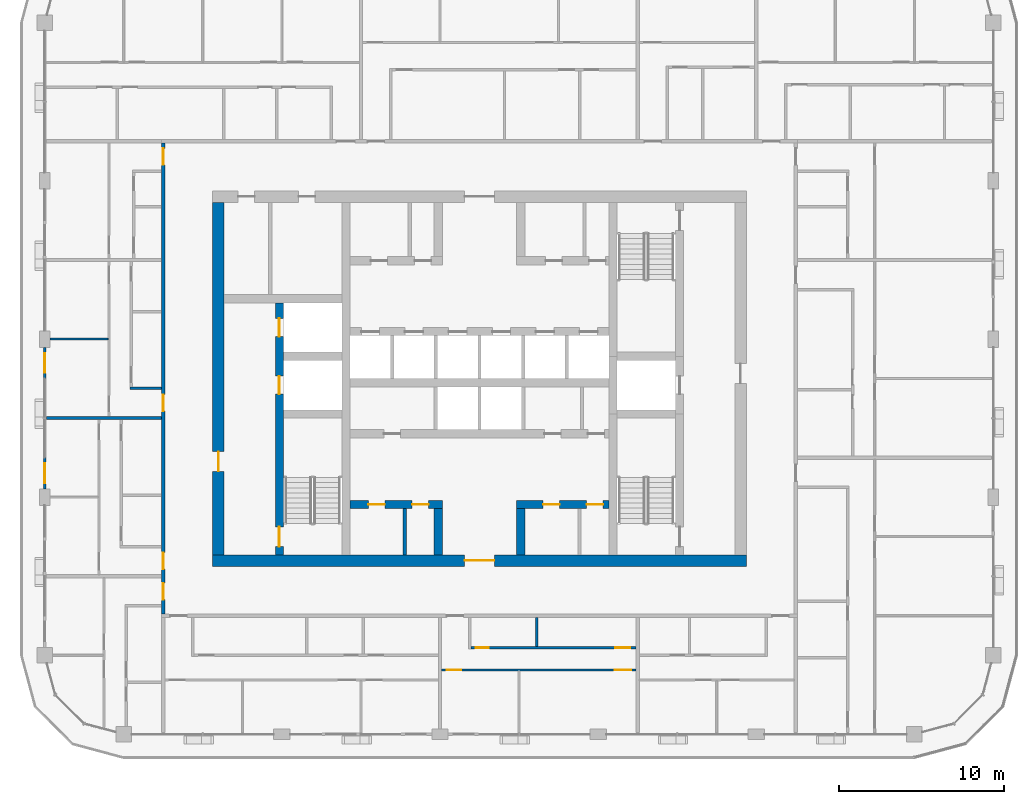
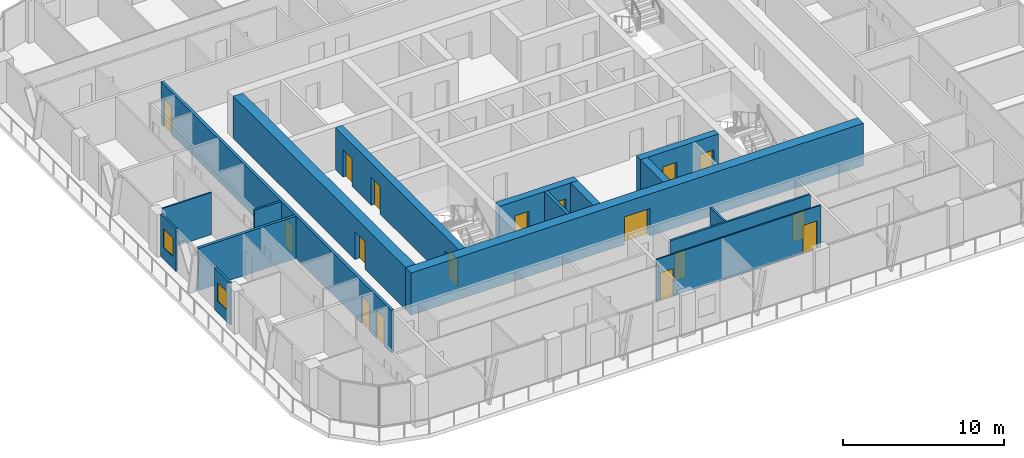
# One storey, part 10 of 23: 17 doors, 17 walls, 2 windows, 19 openings.
"""IFC4 building model written with IfcOpenShell, lengths in metres."""

from ifc_helpers import new_model, si_unit, direction, frame, frame_2d, origin, place, context, subcontext, project, spatial, rectangle, extrude, material, layer, layer_set, type_object, element, fill, save


model = new_model("IFC4")

# Units and contexts
model_context = context("Model", 3, precision=1e-05, world=origin(), true_north=direction((0.0, 1.0)))
body_context = subcontext(model_context, "Body", "Model", "MODEL_VIEW")
ifc_project = project(units=[si_unit("LENGTHUNIT", "METRE"), si_unit("AREAUNIT", "SQUARE_METRE"), si_unit("VOLUMEUNIT", "CUBIC_METRE"), si_unit("PLANEANGLEUNIT", "RADIAN"), si_unit("MASSUNIT", "GRAM", prefix="KILO")], contexts=[model_context])

# Site, building, storey
site_placement = place(None, origin())
site = spatial("IfcSite", under=ifc_project, at=site_placement, CompositionType="ELEMENT")
building_placement = place(site_placement, origin())
building = spatial("IfcBuilding", under=site, at=building_placement, Name="Madar Terraces", CompositionType="ELEMENT")
storey_placement = place(building_placement, frame((0.0, 0.0, 215.800048828125)))
storey = spatial("IfcBuildingStorey", under=building, at=storey_placement, Name="L56", CompositionType="ELEMENT", Elevation=215.800048828125)

# Wall, openings, doors
ifc_material_1 = material(Name="Concrete C60/75", Category="concrete")
ifc_layer_1 = layer(ifc_material_1, 0.5)
ifc_layer_set_1 = layer_set([ifc_layer_1], Name="Concrete C60/75 (CIW4 RC wall 500)")
wall_type_1 = type_object("IfcWallType", Name="CIW4 RC wall 500", PredefinedType="SHEAR", material=ifc_layer_set_1)
wall_1_placement = place(storey_placement, frame((19.050048828125, 15.699951171875, 0.0), z_axis=(0.0, 0.0, 1.0), x_axis=(0.0, 1.0, 0.0)))
wall_1 = element("IfcWall", 1, at=wall_1_placement, inside=storey, type_object=wall_type_1, Name="CORE SHAFT WALL", PredefinedType="SHEAR", context=body_context, shape_type="SweptSolid", body=[
    extrude(rectangle(XDim=15.300048828125, YDim=0.5, at=frame_2d((7.64990234375, 0.0))), origin(), (0.0, 0.0, 1.0), 3.199951171875),
])
opening_1_placement = place(wall_1_placement, frame((9.75, 0.0, 0.0)))
opening_1 = element("IfcOpeningElement", 2, at=opening_1_placement, cuts=wall_1, Name="Opening LD", PredefinedType="OPENING", context=body_context, shape_type="SweptSolid", body=[
    extrude(rectangle(XDim=1.10009765625, YDim=2.10009765625, at=frame_2d((0.550048828125, 1.050048828125))), frame((0.0, 0.260009765625, 0.0), z_axis=(0.0, -1.0, 0.0), x_axis=(1.0, 0.0, 0.0)), (0.0, 0.0, 1.0), 0.52001953125),
])
opening_2_placement = place(wall_1_placement, frame((13.25, 0.0, 0.0)))
opening_2 = element("IfcOpeningElement", 3, at=opening_2_placement, cuts=wall_1, Name="Opening LD", PredefinedType="OPENING", context=body_context, shape_type="SweptSolid", body=[
    extrude(rectangle(XDim=1.10009765625, YDim=2.10009765625, at=frame_2d((0.550048828125, 1.050048828125))), frame((0.0, 0.260009765625, 0.0), z_axis=(0.0, -1.0, 0.0), x_axis=(1.0, 0.0, 0.0)), (0.0, 0.0, 1.0), 0.52001953125),
])
opening_3_placement = place(wall_1_placement, frame((0.5, 0.0, 0.0)))
opening_3 = element("IfcOpeningElement", 4, at=opening_3_placement, cuts=wall_1, Name="Opening SD1", PredefinedType="OPENING", context=body_context, shape_type="SweptSolid", body=[
    extrude(rectangle(XDim=1.199951171875, YDim=2.10009765625, at=frame_2d((0.60009765625, 1.050048828125))), frame((0.0, 0.260009765625, 0.0), z_axis=(0.0, -1.0, 0.0), x_axis=(1.0, 0.0, 0.0)), (0.0, 0.0, 1.0), 0.52001953125),
])
ifc_material_2 = material(Name="Stainless steel panel", Category="steel")
door_type_1 = type_object("IfcDoorType", Name="Lift landing door 1100 x 2100", OperationType="DOUBLE_DOOR_SLIDING", PredefinedType="DOOR", material=ifc_material_2)
door_1_placement = place(opening_1_placement, origin())
door_1 = element("IfcDoor", 5, at=door_1_placement, inside=storey, type_object=door_type_1, Name="LIFT LANDING DOOR", OperationType="DOUBLE_DOOR_SLIDING", OverallHeight=2.10009765625, OverallWidth=1.10009765625, PredefinedType="DOOR", context=body_context, shape_type="SweptSolid", body=[
    extrude(rectangle(XDim=1.10009765625, YDim=2.10009765625, at=frame_2d((0.550048828125, 1.050048828125))), frame((0.0, 0.02490234375, 0.0), z_axis=(0.0, -1.0, 0.0), x_axis=(1.0, 0.0, 0.0)), (0.0, 0.0, 1.0), 0.050048828125),
])
fill(opening_1, door_1)
door_2_placement = place(opening_2_placement, origin())
door_2 = element("IfcDoor", 6, at=door_2_placement, inside=storey, type_object=door_type_1, Name="LIFT LANDING DOOR", OperationType="DOUBLE_DOOR_SLIDING", OverallHeight=2.10009765625, OverallWidth=1.10009765625, PredefinedType="DOOR", context=body_context, shape_type="SweptSolid", body=[
    extrude(rectangle(XDim=1.10009765625, YDim=2.10009765625, at=frame_2d((0.550048828125, 1.050048828125))), frame((0.0, 0.02490234375, 0.0), z_axis=(0.0, -1.0, 0.0), x_axis=(1.0, 0.0, 0.0)), (0.0, 0.0, 1.0), 0.050048828125),
])
fill(opening_2, door_2)
ifc_material_3 = material(Name="Steel door leaf", Category="steel")
door_type_2 = type_object("IfcDoorType", Name="Stair door 1200 x 2100", OperationType="NOTDEFINED", PredefinedType="DOOR", material=ifc_material_3)
door_3_placement = place(opening_3_placement, frame((1.199951171875, 0.0, 0.0), z_axis=(0.0, 0.0, 1.0), x_axis=(-1.0, 0.0, 0.0)))
door_3 = element("IfcDoor", 7, at=door_3_placement, inside=storey, type_object=door_type_2, Name="STAIR DOOR", OperationType="SINGLE_SWING_RIGHT", OverallHeight=2.10009765625, OverallWidth=1.199951171875, PredefinedType="DOOR", context=body_context, shape_type="SweptSolid", body=[
    extrude(rectangle(XDim=1.199951171875, YDim=2.10009765625, at=frame_2d((0.60009765625, 1.050048828125))), frame((0.0, 0.02490234375, 0.0), z_axis=(0.0, -1.0, 0.0), x_axis=(1.0, 0.0, 0.0)), (0.0, 0.0, 1.0), 0.050048828125),
])
fill(opening_3, door_3)

wall_2_placement = place(storey_placement, frame((23.35009765625, 18.75, 0.0), z_axis=(0.0, 0.0, 1.0), x_axis=(1.0, 0.0, 0.0)))
wall_2 = element("IfcWall", 8, at=wall_2_placement, inside=storey, type_object=wall_type_1, Name="CORE SHAFT WALL", PredefinedType="SHEAR", context=body_context, shape_type="SweptSolid", body=[
    extrude(rectangle(XDim=5.599853515625, YDim=0.5, at=frame_2d((2.7998046875, 0.0))), origin(), (0.0, 0.0, 1.0), 3.199951171875),
])
opening_4_placement = place(wall_2_placement, frame((1.107421875, 0.0, 0.0)))
opening_4 = element("IfcOpeningElement", 9, at=opening_4_placement, cuts=wall_2, Name="Opening KD2", PredefinedType="OPENING", context=body_context, shape_type="SweptSolid", body=[
    extrude(rectangle(XDim=1.0, YDim=2.10009765625, at=frame_2d((0.5, 1.050048828125))), frame((0.0, 0.260009765625, 0.0), z_axis=(0.0, -1.0, 0.0), x_axis=(1.0, 0.0, 0.0)), (0.0, 0.0, 1.0), 0.52001953125),
])
opening_5_placement = place(wall_2_placement, frame((3.757568359375, 0.0, 0.0)))
opening_5 = element("IfcOpeningElement", 10, at=opening_5_placement, cuts=wall_2, Name="Opening KD2", PredefinedType="OPENING", context=body_context, shape_type="SweptSolid", body=[
    extrude(rectangle(XDim=1.0, YDim=2.10009765625, at=frame_2d((0.5, 1.050048828125))), frame((0.0, 0.260009765625, 0.0), z_axis=(0.0, -1.0, 0.0), x_axis=(1.0, 0.0, 0.0)), (0.0, 0.0, 1.0), 0.52001953125),
])
ifc_material_4 = material(Name="Steel door leaf", Category="steel")
door_type_3 = type_object("IfcDoorType", Name="Service room door 1000 x 2100", OperationType="NOTDEFINED", PredefinedType="DOOR", material=ifc_material_4)
door_4_placement = place(opening_4_placement, origin())
door_4 = element("IfcDoor", 11, at=door_4_placement, inside=storey, type_object=door_type_3, Name="SERVICE ROOM DOOR", OperationType="SINGLE_SWING_RIGHT", OverallHeight=2.10009765625, OverallWidth=1.0, PredefinedType="DOOR", context=body_context, shape_type="SweptSolid", body=[
    extrude(rectangle(XDim=1.0, YDim=2.10009765625, at=frame_2d((0.5, 1.050048828125))), frame((0.0, 0.02490234375, 0.0), z_axis=(0.0, -1.0, 0.0), x_axis=(1.0, 0.0, 0.0)), (0.0, 0.0, 1.0), 0.050048828125),
])
fill(opening_4, door_4)
door_5_placement = place(opening_5_placement, origin())
door_5 = element("IfcDoor", 12, at=door_5_placement, inside=storey, type_object=door_type_3, Name="SERVICE ROOM DOOR", OperationType="SINGLE_SWING_LEFT", OverallHeight=2.10009765625, OverallWidth=1.0, PredefinedType="DOOR", context=body_context, shape_type="SweptSolid", body=[
    extrude(rectangle(XDim=1.0, YDim=2.10009765625, at=frame_2d((0.5, 1.050048828125))), frame((0.0, 0.02490234375, 0.0), z_axis=(0.0, -1.0, 0.0), x_axis=(1.0, 0.0, 0.0)), (0.0, 0.0, 1.0), 0.050048828125),
])
fill(opening_5, door_5)

wall_3_placement = place(storey_placement, frame((33.449951171875, 18.75, 0.0), z_axis=(0.0, 0.0, 1.0), x_axis=(1.0, 0.0, 0.0)))
wall_3 = element("IfcWall", 13, at=wall_3_placement, inside=storey, type_object=wall_type_1, Name="CORE SHAFT WALL", PredefinedType="SHEAR", context=body_context, shape_type="SweptSolid", body=[
    extrude(rectangle(XDim=5.60009765625, YDim=0.5, at=frame_2d((2.800048828125, 0.0))), origin(), (0.0, 0.0, 1.0), 3.199951171875),
])
opening_6_placement = place(wall_3_placement, frame((1.607421875, 0.0, 0.0)))
opening_6 = element("IfcOpeningElement", 14, at=opening_6_placement, cuts=wall_3, Name="Opening KD2", PredefinedType="OPENING", context=body_context, shape_type="SweptSolid", body=[
    extrude(rectangle(XDim=1.0, YDim=2.10009765625, at=frame_2d((0.5, 1.050048828125))), frame((0.0, 0.260009765625, 0.0), z_axis=(0.0, -1.0, 0.0), x_axis=(1.0, 0.0, 0.0)), (0.0, 0.0, 1.0), 0.52001953125),
])
opening_7_placement = place(wall_3_placement, frame((4.257568359375, 0.0, 0.0)))
opening_7 = element("IfcOpeningElement", 15, at=opening_7_placement, cuts=wall_3, Name="Opening KD2", PredefinedType="OPENING", context=body_context, shape_type="SweptSolid", body=[
    extrude(rectangle(XDim=1.0, YDim=2.10009765625, at=frame_2d((0.5, 1.050048828125))), frame((0.0, 0.260009765625, 0.0), z_axis=(0.0, -1.0, 0.0), x_axis=(1.0, 0.0, 0.0)), (0.0, 0.0, 1.0), 0.52001953125),
])
door_6_placement = place(opening_6_placement, origin())
door_6 = element("IfcDoor", 16, at=door_6_placement, inside=storey, type_object=door_type_3, Name="SERVICE ROOM DOOR", OperationType="SINGLE_SWING_RIGHT", OverallHeight=2.10009765625, OverallWidth=1.0, PredefinedType="DOOR", context=body_context, shape_type="SweptSolid", body=[
    extrude(rectangle(XDim=1.0, YDim=2.10009765625, at=frame_2d((0.5, 1.050048828125))), frame((0.0, 0.02490234375, 0.0), z_axis=(0.0, -1.0, 0.0), x_axis=(1.0, 0.0, 0.0)), (0.0, 0.0, 1.0), 0.050048828125),
])
fill(opening_6, door_6)
door_7_placement = place(opening_7_placement, origin())
door_7 = element("IfcDoor", 17, at=door_7_placement, inside=storey, type_object=door_type_3, Name="SERVICE ROOM DOOR", OperationType="SINGLE_SWING_LEFT", OverallHeight=2.10009765625, OverallWidth=1.0, PredefinedType="DOOR", context=body_context, shape_type="SweptSolid", body=[
    extrude(rectangle(XDim=1.0, YDim=2.10009765625, at=frame_2d((0.5, 1.050048828125))), frame((0.0, 0.02490234375, 0.0), z_axis=(0.0, -1.0, 0.0), x_axis=(1.0, 0.0, 0.0)), (0.0, 0.0, 1.0), 0.050048828125),
])
fill(opening_7, door_7)

# Walls
for number, where, z_axis, x_axis, name in (
    (18, (28.699951171875, 15.699951171875, 0.0), (0.0, 0.0, 1.0), (0.0, 1.0, 0.0), "CORE SHAFT WALL"),
    (19, (33.699951171875, 15.699951171875, 0.0), (0.0, 0.0, 1.0), (0.0, 1.0, 0.0), "CORE SHAFT WALL"),
):
    element("IfcWall", number, at=place(storey_placement, frame(where, z_axis=z_axis, x_axis=x_axis)), inside=storey, type_object=wall_type_1, Name=name, PredefinedType="SHEAR", context=body_context, shape_type="SweptSolid", body=[
        extrude(rectangle(XDim=2.800048828125, YDim=0.5, at=frame_2d((1.39990234375, 0.0))), origin(), (0.0, 0.0, 1.0), 3.199951171875),
    ])

# Wall, opening, door
ifc_material_5 = material(Name="Concrete C60/75", Category="concrete")
ifc_layer_2 = layer(ifc_material_5, 0.699951171875)
ifc_layer_set_2 = layer_set([ifc_layer_2], Name="Concrete C60/75 (CRW4 RC wall 700)")
wall_type_2 = type_object("IfcWallType", Name="CRW4 RC wall 700", PredefinedType="SHEAR", material=ifc_layer_set_2)
wall_4_placement = place(storey_placement, frame((15.0, 15.35009765625, 0.0), z_axis=(0.0, 0.0, 1.0), x_axis=(1.0, 0.0, 0.0)))
wall_4 = element("IfcWall", 20, at=wall_4_placement, inside=storey, type_object=wall_type_2, Name="CORE OUTER WALL", PredefinedType="SHEAR", context=body_context, shape_type="SweptSolid", body=[
    extrude(rectangle(XDim=32.39990234375, YDim=0.699951171875, at=frame_2d((16.199951171875, 0.0))), origin(), (0.0, 0.0, 1.0), 3.199951171875),
])
opening_8_placement = place(wall_4_placement, frame((15.300048828125, 0.0, 0.0)))
opening_8 = element("IfcOpeningElement", 21, at=opening_8_placement, cuts=wall_4, Name="Opening KD1", PredefinedType="OPENING", context=body_context, shape_type="SweptSolid", body=[
    extrude(rectangle(XDim=1.800048828125, YDim=2.10009765625, at=frame_2d((0.89990234375, 1.050048828125))), frame((0.0, 0.35986328125, 0.0), z_axis=(0.0, -1.0, 0.0), x_axis=(1.0, 0.0, 0.0)), (0.0, 0.0, 1.0), 0.719970703125),
])
ifc_material_6 = material(Name="Steel door leaf", Category="steel")
door_type_4 = type_object("IfcDoorType", Name="Lobby door pair 1800 x 2100", OperationType="DOUBLE_DOOR_SINGLE_SWING", PredefinedType="DOOR", material=ifc_material_6)
door_8_placement = place(opening_8_placement, frame((1.800048828125, 0.0, 0.0), z_axis=(0.0, 0.0, 1.0), x_axis=(-1.0, 0.0, 0.0)))
door_8 = element("IfcDoor", 22, at=door_8_placement, inside=storey, type_object=door_type_4, Name="LIFT LOBBY DOOR", OperationType="DOUBLE_DOOR_SINGLE_SWING", OverallHeight=2.10009765625, OverallWidth=1.800048828125, PredefinedType="DOOR", context=body_context, shape_type="SweptSolid", body=[
    extrude(rectangle(XDim=1.800048828125, YDim=2.10009765625, at=frame_2d((0.89990234375, 1.050048828125))), frame((0.0, 0.02490234375, 0.0), z_axis=(0.0, -1.0, 0.0), x_axis=(1.0, 0.0, 0.0)), (0.0, 0.0, 1.0), 0.050048828125),
])
fill(opening_8, door_8)

wall_5_placement = place(storey_placement, frame((15.35009765625, 15.699951171875, 0.0), z_axis=(0.0, 0.0, 1.0), x_axis=(0.0, 1.0, 0.0)))
wall_5 = element("IfcWall", 23, at=wall_5_placement, inside=storey, type_object=wall_type_2, Name="CORE OUTER WALL", PredefinedType="SHEAR", context=body_context, shape_type="SweptSolid", body=[
    extrude(rectangle(XDim=21.400146484375, YDim=0.699951171875, at=frame_2d((10.7001953125, 0.0))), origin(), (0.0, 0.0, 1.0), 3.199951171875),
])
opening_9_placement = place(wall_5_placement, frame((5.06005859375, 0.0, 0.0)))
opening_9 = element("IfcOpeningElement", 24, at=opening_9_placement, cuts=wall_5, Name="Opening SD1", PredefinedType="OPENING", context=body_context, shape_type="SweptSolid", body=[
    extrude(rectangle(XDim=1.199951171875, YDim=2.10009765625, at=frame_2d((0.60009765625, 1.050048828125))), frame((0.0, 0.35986328125, 0.0), z_axis=(0.0, -1.0, 0.0), x_axis=(1.0, 0.0, 0.0)), (0.0, 0.0, 1.0), 0.719970703125),
])
door_9_placement = place(opening_9_placement, frame((1.199951171875, 0.0, 0.0), z_axis=(0.0, 0.0, 1.0), x_axis=(-1.0, 0.0, 0.0)))
door_9 = element("IfcDoor", 25, at=door_9_placement, inside=storey, type_object=door_type_2, Name="STAIR DOOR", OperationType="SINGLE_SWING_LEFT", OverallHeight=2.10009765625, OverallWidth=1.199951171875, PredefinedType="DOOR", context=body_context, shape_type="SweptSolid", body=[
    extrude(rectangle(XDim=1.199951171875, YDim=2.10009765625, at=frame_2d((0.60009765625, 1.050048828125))), frame((0.0, 0.02490234375, 0.0), z_axis=(0.0, -1.0, 0.0), x_axis=(1.0, 0.0, 0.0)), (0.0, 0.0, 1.0), 0.050048828125),
])
fill(opening_9, door_9)

# Wall
ifc_material_7 = material(Name="Masonry blockwork", Category="masonry")
ifc_layer_3 = layer(ifc_material_7, 0.199951171875)
ifc_layer_set_3 = layer_set([ifc_layer_3], Name="Core partition 200 blockwork")
wall_type_3 = type_object("IfcWallType", Name="Core partition 200 blockwork", PredefinedType="PARTITIONING", material=ifc_layer_set_3)
wall_6_placement = place(storey_placement, frame((26.6650390625, 15.699951171875, 0.0), z_axis=(0.0, 0.0, 1.0), x_axis=(0.0, 1.0, 0.0)))
element("IfcWall", 26, at=wall_6_placement, inside=storey, type_object=wall_type_3, Name="SERVICE ROOM PARTITION", PredefinedType="PARTITIONING", context=body_context, shape_type="SweptSolid", body=[
    extrude(rectangle(XDim=2.800048828125, YDim=0.199951171875, at=frame_2d((1.39990234375, 0.0))), origin(), (0.0, 0.0, 1.0), 3.199951171875),
])

# Wall, opening, window
ifc_material_8 = material(Name="Aluminium composite panel, black, over insulated backing", Category="aluminium")
ifc_layer_4 = layer(ifc_material_8, 0.14990234375)
ifc_layer_set_4 = layer_set([ifc_layer_4], Name="Facade bay panel 150")
wall_type_4 = type_object("IfcWallType", Name="Facade bay panel 150", PredefinedType="SOLIDWALL", material=ifc_layer_set_4)
wall_7_placement = place(storey_placement, frame((4.800048828125, 28.300048828125, 0.0), z_axis=(0.0, 0.0, 1.0), x_axis=(0.0, -1.0, 0.0)))
wall_7 = element("IfcWall", 27, at=wall_7_placement, inside=storey, type_object=wall_type_4, Name="Facade bay panel", PredefinedType="SOLIDWALL", context=body_context, shape_type="SweptSolid", body=[
    extrude(rectangle(XDim=1.900146484375, YDim=0.14990234375, at=frame_2d((0.9501953125, 0.0))), origin(), (0.0, 0.0, 1.0), 3.199951171875),
])
opening_10_placement = place(wall_7_placement, frame((0.35009765625, 0.0, 0.89990234375)))
opening_10 = element("IfcOpeningElement", 28, at=opening_10_placement, cuts=wall_7, Name="Opening W1", PredefinedType="OPENING", context=body_context, shape_type="SweptSolid", body=[
    extrude(rectangle(XDim=1.199951171875, YDim=1.39990234375, at=frame_2d((0.60009765625, 0.699951171875))), frame((0.0, 0.0849609375, 0.0), z_axis=(0.0, -1.0, 0.0), x_axis=(1.0, 0.0, 0.0)), (0.0, 0.0, 1.0), 0.169921875),
])
ifc_material_9 = material(Name="Glass, clear, with black aluminium frame", Category="aluminium")
window_type = type_object("IfcWindowType", Name="Vent window 1200 x 1400", PartitioningType="SINGLE_PANEL", PredefinedType="WINDOW", material=ifc_material_9)
window_1_placement = place(opening_10_placement, origin())
window_1 = element("IfcWindow", 29, at=window_1_placement, inside=storey, type_object=window_type, Name="Operable vent window", OverallHeight=1.39990234375, OverallWidth=1.199951171875, PartitioningType="SINGLE_PANEL", PredefinedType="WINDOW", context=body_context, shape_type="SweptSolid", body=[
    extrude(rectangle(XDim=1.199951171875, YDim=1.39990234375, at=frame_2d((0.60009765625, 0.699951171875))), frame((0.0, 0.030029296875, 0.0), z_axis=(0.0, -1.0, 0.0), x_axis=(1.0, 0.0, 0.0)), (0.0, 0.0, 1.0), 0.06005859375),
])
fill(opening_10, window_1)

wall_8_placement = place(storey_placement, frame((4.800048828125, 21.60009765625, 0.0), z_axis=(0.0, 0.0, 1.0), x_axis=(0.0, -1.0, 0.0)))
wall_8 = element("IfcWall", 30, at=wall_8_placement, inside=storey, type_object=wall_type_4, Name="Facade bay panel", PredefinedType="SOLIDWALL", context=body_context, shape_type="SweptSolid", body=[
    extrude(rectangle(XDim=1.900146484375, YDim=0.14990234375, at=frame_2d((0.9501953125, 0.0))), origin(), (0.0, 0.0, 1.0), 3.199951171875),
])
opening_11_placement = place(wall_8_placement, frame((0.35009765625, 0.0, 0.89990234375)))
opening_11 = element("IfcOpeningElement", 31, at=opening_11_placement, cuts=wall_8, Name="Opening W1", PredefinedType="OPENING", context=body_context, shape_type="SweptSolid", body=[
    extrude(rectangle(XDim=1.199951171875, YDim=1.39990234375, at=frame_2d((0.60009765625, 0.699951171875))), frame((0.0, 0.0849609375, 0.0), z_axis=(0.0, -1.0, 0.0), x_axis=(1.0, 0.0, 0.0)), (0.0, 0.0, 1.0), 0.169921875),
])
window_2_placement = place(opening_11_placement, origin())
window_2 = element("IfcWindow", 32, at=window_2_placement, inside=storey, type_object=window_type, Name="Operable vent window", OverallHeight=1.39990234375, OverallWidth=1.199951171875, PartitioningType="SINGLE_PANEL", PredefinedType="WINDOW", context=body_context, shape_type="SweptSolid", body=[
    extrude(rectangle(XDim=1.199951171875, YDim=1.39990234375, at=frame_2d((0.60009765625, 0.699951171875))), frame((0.0, 0.030029296875, 0.0), z_axis=(0.0, -1.0, 0.0), x_axis=(1.0, 0.0, 0.0)), (0.0, 0.0, 1.0), 0.06005859375),
])
fill(opening_11, window_2)

# Wall, openings, doors
ifc_material_10 = material(Name="Gypsum board on steel studs", Category="steel")
ifc_layer_5 = layer(ifc_material_10, 0.10009765625)
ifc_layer_set_5 = layer_set([ifc_layer_5], Name="Flat partition 100")
wall_type_5 = type_object("IfcWallType", Name="Flat partition 100", PredefinedType="PARTITIONING", material=ifc_layer_set_5)
wall_9_placement = place(storey_placement, frame((40.699951171875, 8.699951171875, 0.0), z_axis=(0.0, 0.0, 1.0), x_axis=(-1.0, 0.0, 0.0)))
wall_9 = element("IfcWall", 33, at=wall_9_placement, inside=storey, type_object=wall_type_5, Name="Flat partition 100", PredefinedType="PARTITIONING", context=body_context, shape_type="SweptSolid", body=[
    extrude(rectangle(XDim=11.800048828125, YDim=0.10009765625, at=frame_2d((5.89990234375, 0.0))), origin(), (0.0, 0.0, 1.0), 3.199951171875),
])
opening_12_placement = place(wall_9_placement, frame((10.60009765625, 0.0, 0.0)))
opening_12 = element("IfcOpeningElement", 34, at=opening_12_placement, cuts=wall_9, Name="Opening D2", PredefinedType="OPENING", context=body_context, shape_type="SweptSolid", body=[
    extrude(rectangle(XDim=0.89990234375, YDim=2.10009765625, at=frame_2d((0.449951171875, 1.050048828125))), frame((0.0, 0.06005859375, 0.0), z_axis=(0.0, -1.0, 0.0), x_axis=(1.0, 0.0, 0.0)), (0.0, 0.0, 1.0), 0.1201171875),
])
opening_13_placement = place(wall_9_placement, frame((0.300048828125, 0.0, 0.0)))
opening_13 = element("IfcOpeningElement", 35, at=opening_13_placement, cuts=wall_9, Name="Opening D3", PredefinedType="OPENING", context=body_context, shape_type="SweptSolid", body=[
    extrude(rectangle(XDim=1.0, YDim=2.10009765625, at=frame_2d((0.5, 1.050048828125))), frame((0.0, 0.06005859375, 0.0), z_axis=(0.0, -1.0, 0.0), x_axis=(1.0, 0.0, 0.0)), (0.0, 0.0, 1.0), 0.1201171875),
])
ifc_material_11 = material(Name="Timber door leaf", Category="wood")
door_type_5 = type_object("IfcDoorType", Name="Flat living room door 1000", OperationType="NOTDEFINED", PredefinedType="DOOR", material=ifc_material_11)
door_10_placement = place(opening_13_placement, origin())
door_10 = element("IfcDoor", 36, at=door_10_placement, inside=storey, type_object=door_type_5, Name="Flat living room door 1000", OperationType="SINGLE_SWING_LEFT", OverallHeight=2.10009765625, OverallWidth=1.0, PredefinedType="DOOR", context=body_context, shape_type="SweptSolid", body=[
    extrude(rectangle(XDim=1.0, YDim=2.10009765625, at=frame_2d((0.5, 1.050048828125))), frame((0.0, 0.02490234375, 0.0), z_axis=(0.0, -1.0, 0.0), x_axis=(1.0, 0.0, 0.0)), (0.0, 0.0, 1.0), 0.050048828125),
])
fill(opening_13, door_10)
ifc_material_12 = material(Name="Timber door leaf", Category="wood")
door_type_6 = type_object("IfcDoorType", Name="Flat room door 900", OperationType="NOTDEFINED", PredefinedType="DOOR", material=ifc_material_12)
door_11_placement = place(opening_12_placement, origin())
door_11 = element("IfcDoor", 37, at=door_11_placement, inside=storey, type_object=door_type_6, Name="Flat room door 900", OperationType="SINGLE_SWING_RIGHT", OverallHeight=2.10009765625, OverallWidth=0.89990234375, PredefinedType="DOOR", context=body_context, shape_type="SweptSolid", body=[
    extrude(rectangle(XDim=0.89990234375, YDim=2.10009765625, at=frame_2d((0.449951171875, 1.050048828125))), frame((0.0, 0.02490234375, 0.0), z_axis=(0.0, -1.0, 0.0), x_axis=(1.0, 0.0, 0.0)), (0.0, 0.0, 1.0), 0.050048828125),
])
fill(opening_12, door_11)

# Wall
wall_10_placement = place(storey_placement, frame((8.64990234375, 28.800048828125, 0.0), z_axis=(0.0, 0.0, 1.0), x_axis=(-1.0, 0.0, 0.0)))
element("IfcWall", 38, at=wall_10_placement, inside=storey, type_object=wall_type_5, Name="Flat partition 100", PredefinedType="PARTITIONING", context=body_context, shape_type="SweptSolid", body=[
    extrude(rectangle(XDim=3.52490234375, YDim=0.10009765625, at=frame_2d((1.762451171875, 0.0))), origin(), (0.0, 0.0, 1.0), 3.199951171875),
])

# Wall, openings, doors
ifc_material_13 = material(Name="Lightweight blockwork", Category="masonry")
ifc_layer_6 = layer(ifc_material_13, 0.199951171875)
ifc_layer_set_6 = layer_set([ifc_layer_6], Name="Flat party and entrance wall 200")
wall_type_6 = type_object("IfcWallType", Name="Flat party and entrance wall 200", PredefinedType="PARTITIONING", material=ifc_layer_set_6)
wall_11_placement = place(storey_placement, frame((12.0, 12.10009765625, 0.0), z_axis=(0.0, 0.0, 1.0), x_axis=(0.0, 1.0, 0.0)))
wall_11 = element("IfcWall", 39, at=wall_11_placement, inside=storey, type_object=wall_type_6, Name="Flat party and entrance wall 200", PredefinedType="PARTITIONING", context=body_context, shape_type="SweptSolid", body=[
    extrude(rectangle(XDim=28.599853515625, YDim=0.199951171875, at=frame_2d((14.2998046875, 0.0))), origin(), (0.0, 0.0, 1.0), 3.199951171875),
])
opening_14_placement = place(wall_11_placement, frame((27.27490234375, 0.0, 0.0)))
opening_14 = element("IfcOpeningElement", 40, at=opening_14_placement, cuts=wall_11, Name="Opening D1", PredefinedType="OPENING", context=body_context, shape_type="SweptSolid", body=[
    extrude(rectangle(XDim=1.0, YDim=2.10009765625, at=frame_2d((0.5, 1.050048828125))), frame((0.0, 0.10986328125, 0.0), z_axis=(0.0, -1.0, 0.0), x_axis=(1.0, 0.0, 0.0)), (0.0, 0.0, 1.0), 0.219970703125),
])
opening_15_placement = place(wall_11_placement, frame((12.324951171875, 0.0, 0.0)))
opening_15 = element("IfcOpeningElement", 41, at=opening_15_placement, cuts=wall_11, Name="Opening D1", PredefinedType="OPENING", context=body_context, shape_type="SweptSolid", body=[
    extrude(rectangle(XDim=1.0, YDim=2.10009765625, at=frame_2d((0.5, 1.050048828125))), frame((0.0, 0.10986328125, 0.0), z_axis=(0.0, -1.0, 0.0), x_axis=(1.0, 0.0, 0.0)), (0.0, 0.0, 1.0), 0.219970703125),
])
opening_16_placement = place(wall_11_placement, frame((2.72509765625, 0.0, 0.0)))
opening_16 = element("IfcOpeningElement", 42, at=opening_16_placement, cuts=wall_11, Name="Opening D1", PredefinedType="OPENING", context=body_context, shape_type="SweptSolid", body=[
    extrude(rectangle(XDim=1.0, YDim=2.10009765625, at=frame_2d((0.5, 1.050048828125))), frame((0.0, 0.10986328125, 0.0), z_axis=(0.0, -1.0, 0.0), x_axis=(1.0, 0.0, 0.0)), (0.0, 0.0, 1.0), 0.219970703125),
])
opening_17_placement = place(wall_11_placement, frame((0.875, 0.0, 0.0)))
opening_17 = element("IfcOpeningElement", 43, at=opening_17_placement, cuts=wall_11, Name="Opening D1", PredefinedType="OPENING", context=body_context, shape_type="SweptSolid", body=[
    extrude(rectangle(XDim=1.0, YDim=2.10009765625, at=frame_2d((0.5, 1.050048828125))), frame((0.0, 0.10986328125, 0.0), z_axis=(0.0, -1.0, 0.0), x_axis=(1.0, 0.0, 0.0)), (0.0, 0.0, 1.0), 0.219970703125),
])
ifc_material_14 = material(Name="Timber fire door leaf", Category="wood")
door_type_7 = type_object("IfcDoorType", Name="Flat entrance door 1000 FD30S", OperationType="NOTDEFINED", PredefinedType="DOOR", material=ifc_material_14)
door_12_placement = place(opening_14_placement, origin())
door_12 = element("IfcDoor", 44, at=door_12_placement, inside=storey, type_object=door_type_7, Name="Flat entrance door 1000 FD30S", OperationType="SINGLE_SWING_RIGHT", OverallHeight=2.10009765625, OverallWidth=1.0, PredefinedType="DOOR", context=body_context, shape_type="SweptSolid", body=[
    extrude(rectangle(XDim=1.0, YDim=2.10009765625, at=frame_2d((0.5, 1.050048828125))), frame((0.0, 0.02490234375, 0.0), z_axis=(0.0, -1.0, 0.0), x_axis=(1.0, 0.0, 0.0)), (0.0, 0.0, 1.0), 0.050048828125),
])
fill(opening_14, door_12)
door_13_placement = place(opening_15_placement, origin())
door_13 = element("IfcDoor", 45, at=door_13_placement, inside=storey, type_object=door_type_7, Name="Flat entrance door 1000 FD30S", OperationType="SINGLE_SWING_LEFT", OverallHeight=2.10009765625, OverallWidth=1.0, PredefinedType="DOOR", context=body_context, shape_type="SweptSolid", body=[
    extrude(rectangle(XDim=1.0, YDim=2.10009765625, at=frame_2d((0.5, 1.050048828125))), frame((0.0, 0.02490234375, 0.0), z_axis=(0.0, -1.0, 0.0), x_axis=(1.0, 0.0, 0.0)), (0.0, 0.0, 1.0), 0.050048828125),
])
fill(opening_15, door_13)
door_14_placement = place(opening_16_placement, origin())
door_14 = element("IfcDoor", 46, at=door_14_placement, inside=storey, type_object=door_type_7, Name="Flat entrance door 1000 FD30S", OperationType="SINGLE_SWING_LEFT", OverallHeight=2.10009765625, OverallWidth=1.0, PredefinedType="DOOR", context=body_context, shape_type="SweptSolid", body=[
    extrude(rectangle(XDim=1.0, YDim=2.10009765625, at=frame_2d((0.5, 1.050048828125))), frame((0.0, 0.02490234375, 0.0), z_axis=(0.0, -1.0, 0.0), x_axis=(1.0, 0.0, 0.0)), (0.0, 0.0, 1.0), 0.050048828125),
])
fill(opening_16, door_14)
door_15_placement = place(opening_17_placement, origin())
door_15 = element("IfcDoor", 47, at=door_15_placement, inside=storey, type_object=door_type_7, Name="Flat entrance door 1000 FD30S", OperationType="SINGLE_SWING_RIGHT", OverallHeight=2.10009765625, OverallWidth=1.0, PredefinedType="DOOR", context=body_context, shape_type="SweptSolid", body=[
    extrude(rectangle(XDim=1.0, YDim=2.10009765625, at=frame_2d((0.5, 1.050048828125))), frame((0.0, 0.02490234375, 0.0), z_axis=(0.0, -1.0, 0.0), x_axis=(1.0, 0.0, 0.0)), (0.0, 0.0, 1.0), 0.050048828125),
])
fill(opening_17, door_15)

# Walls
wall_12_placement = place(storey_placement, frame((4.89990234375, 24.0, 0.0), z_axis=(0.0, 0.0, 1.0), x_axis=(1.0, 0.0, 0.0)))
element("IfcWall", 48, at=wall_12_placement, inside=storey, type_object=wall_type_6, Name="Flat party and entrance wall 200", PredefinedType="PARTITIONING", context=body_context, shape_type="SweptSolid", body=[
    extrude(rectangle(XDim=7.0, YDim=0.199951171875, at=frame_2d((3.5, 0.0))), origin(), (0.0, 0.0, 1.0), 3.199951171875),
])
ifc_material_15 = material(Name="Lightweight blockwork", Category="masonry")
ifc_layer_7 = layer(ifc_material_15, 0.14990234375)
ifc_layer_set_7 = layer_set([ifc_layer_7], Name="Flat wet-room partition 150")
wall_type_7 = type_object("IfcWallType", Name="Flat wet-room partition 150", PredefinedType="PARTITIONING", material=ifc_layer_set_7)
wall_13_placement = place(storey_placement, frame((34.68505859375, 11.89990234375, 0.0), z_axis=(0.0, 0.0, 1.0), x_axis=(0.0, -1.0, 0.0)))
element("IfcWall", 49, at=wall_13_placement, inside=storey, type_object=wall_type_7, Name="Flat wet-room partition 150", PredefinedType="PARTITIONING", context=body_context, shape_type="SweptSolid", body=[
    extrude(rectangle(XDim=1.77490234375, YDim=0.14990234375, at=frame_2d((0.887451171875, 0.0))), origin(), (0.0, 0.0, 1.0), 3.199951171875),
])

# Wall, openings, doors
wall_14_placement = place(storey_placement, frame((30.675048828125, 10.050048828125, 0.0), z_axis=(0.0, 0.0, 1.0), x_axis=(1.0, 0.0, 0.0)))
wall_14 = element("IfcWall", 50, at=wall_14_placement, inside=storey, type_object=wall_type_7, Name="Flat wet-room partition 150", PredefinedType="PARTITIONING", context=body_context, shape_type="SweptSolid", body=[
    extrude(rectangle(XDim=10.02490234375, YDim=0.14990234375, at=frame_2d((5.012451171875, 0.0))), origin(), (0.0, 0.0, 1.0), 3.199951171875),
])
opening_18_placement = place(wall_14_placement, frame((0.300048828125, 0.0, 0.0)))
opening_18 = element("IfcOpeningElement", 51, at=opening_18_placement, cuts=wall_14, Name="Opening D4", PredefinedType="OPENING", context=body_context, shape_type="SweptSolid", body=[
    extrude(rectangle(XDim=0.800048828125, YDim=2.10009765625, at=frame_2d((0.39990234375, 1.050048828125))), frame((0.0, 0.0849609375, 0.0), z_axis=(0.0, -1.0, 0.0), x_axis=(1.0, 0.0, 0.0)), (0.0, 0.0, 1.0), 0.169921875),
])
opening_19_placement = place(wall_14_placement, frame((8.77490234375, 0.0, 0.0)))
opening_19 = element("IfcOpeningElement", 52, at=opening_19_placement, cuts=wall_14, Name="Opening D2", PredefinedType="OPENING", context=body_context, shape_type="SweptSolid", body=[
    extrude(rectangle(XDim=0.89990234375, YDim=2.10009765625, at=frame_2d((0.449951171875, 1.050048828125))), frame((0.0, 0.0849609375, 0.0), z_axis=(0.0, -1.0, 0.0), x_axis=(1.0, 0.0, 0.0)), (0.0, 0.0, 1.0), 0.169921875),
])
ifc_material_16 = material(Name="Timber door leaf", Category="wood")
door_type_8 = type_object("IfcDoorType", Name="Flat bathroom door 800", OperationType="NOTDEFINED", PredefinedType="DOOR", material=ifc_material_16)
door_16_placement = place(opening_18_placement, origin())
door_16 = element("IfcDoor", 53, at=door_16_placement, inside=storey, type_object=door_type_8, Name="Flat bathroom door 800", OperationType="SINGLE_SWING_LEFT", OverallHeight=2.10009765625, OverallWidth=0.800048828125, PredefinedType="DOOR", context=body_context, shape_type="SweptSolid", body=[
    extrude(rectangle(XDim=0.800048828125, YDim=2.10009765625, at=frame_2d((0.39990234375, 1.050048828125))), frame((0.0, 0.02490234375, 0.0), z_axis=(0.0, -1.0, 0.0), x_axis=(1.0, 0.0, 0.0)), (0.0, 0.0, 1.0), 0.050048828125),
])
fill(opening_18, door_16)
door_17_placement = place(opening_19_placement, origin())
door_17 = element("IfcDoor", 54, at=door_17_placement, inside=storey, type_object=door_type_6, Name="Flat room door 900", OperationType="SINGLE_SWING_RIGHT", OverallHeight=2.10009765625, OverallWidth=0.89990234375, PredefinedType="DOOR", context=body_context, shape_type="SweptSolid", body=[
    extrude(rectangle(XDim=0.89990234375, YDim=2.10009765625, at=frame_2d((0.449951171875, 1.050048828125))), frame((0.0, 0.02490234375, 0.0), z_axis=(0.0, -1.0, 0.0), x_axis=(1.0, 0.0, 0.0)), (0.0, 0.0, 1.0), 0.050048828125),
])
fill(opening_19, door_17)

# Wall
wall_15_placement = place(storey_placement, frame((11.89990234375, 25.800048828125, 0.0), z_axis=(0.0, 0.0, 1.0), x_axis=(-1.0, 0.0, 0.0)))
element("IfcWall", 55, at=wall_15_placement, inside=storey, type_object=wall_type_7, Name="Flat wet-room partition 150", PredefinedType="PARTITIONING", context=body_context, shape_type="SweptSolid", body=[
    extrude(rectangle(XDim=1.9248046875, YDim=0.14990234375, at=frame_2d((0.96240234375, 0.0))), origin(), (0.0, 0.0, 1.0), 3.199951171875),
])

save(model, "model.ifc")
